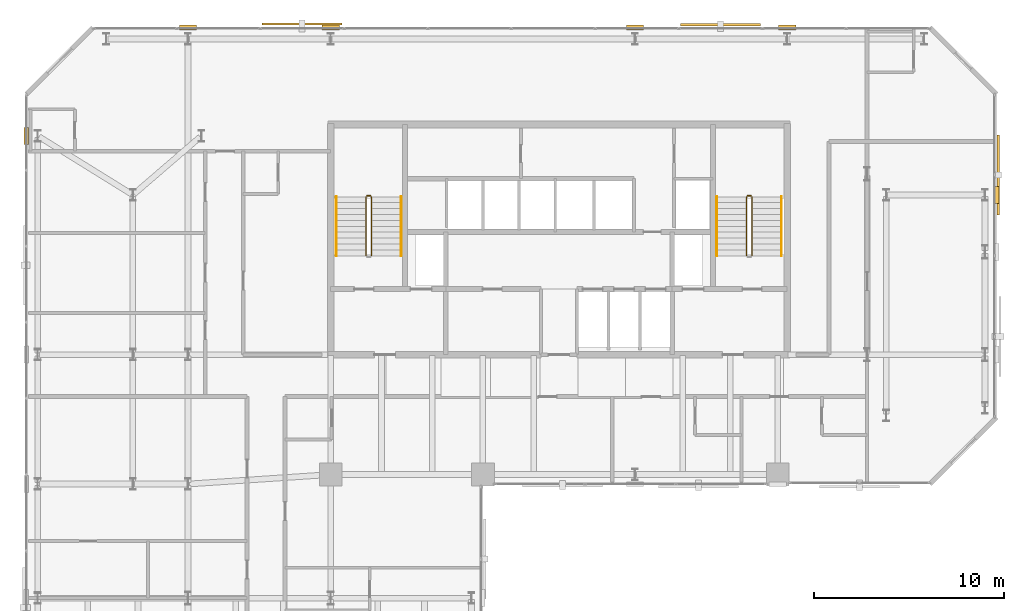
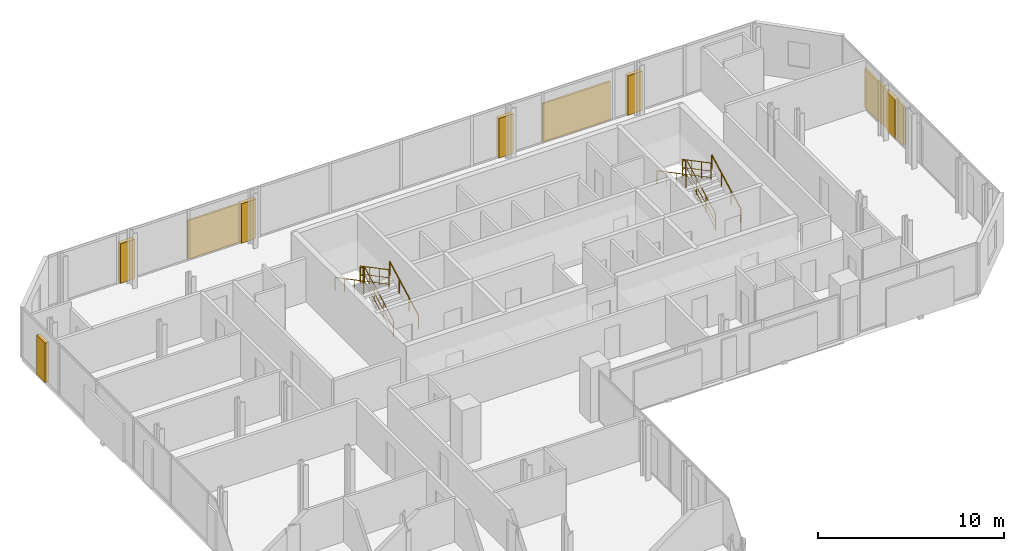
# One storey, part 33 of 33: 10 railings, 6 coverings, 3 shading devices.
"""IFC4 building model written with IfcOpenShell, lengths in metres."""

from ifc_helpers import new_model, si_unit, direction, frame, origin, origin_2d, place, context, subcontext, project, spatial, rectangle, circle, extrude, material, layer, layer_set, type_object, element, save


model = new_model("IFC4")

# Units and contexts
model_context = context("Model", 3, precision=1e-05, world=origin(), true_north=direction((0.0, 1.0)))
body_context = subcontext(model_context, "Body", "Model", "MODEL_VIEW")
ifc_project = project(units=[si_unit("LENGTHUNIT", "METRE"), si_unit("AREAUNIT", "SQUARE_METRE"), si_unit("VOLUMEUNIT", "CUBIC_METRE"), si_unit("PLANEANGLEUNIT", "RADIAN"), si_unit("MASSUNIT", "GRAM", prefix="KILO")], contexts=[model_context])

# Site, building, storey
site_placement = place(None, origin())
site = spatial("IfcSite", under=ifc_project, at=site_placement, CompositionType="ELEMENT")
building_placement = place(site_placement, origin())
building = spatial("IfcBuilding", under=site, at=building_placement, Name="Catumbela Crestline Tower", CompositionType="ELEMENT")
storey_placement = place(building_placement, frame((0.0, 0.0, 118.8)))
storey = spatial("IfcBuildingStorey", under=building, at=storey_placement, Name="L30", CompositionType="ELEMENT", Elevation=118.8)

# Coverings
ifc_material_1 = material(Name="Extruded terracotta ceramic", Category="masonry")
ifc_layer = layer(ifc_material_1, 0.08, Name="Extruded terracotta ceramic")
ifc_layer_set = layer_set([ifc_layer], Name="Extruded terracotta ceramic")
covering_type = type_object("IfcCoveringType", Name="CC-TER", PredefinedType="CLADDING", material=ifc_layer_set)
for number, where, z_axis, x_axis, name in (
    (1, (51.0, 39.2, 0.0), (0.0, 0.0, 1.0), (0.0, 1.0, 0.0), "L30 Fluted Terracotta Column Cladding 102"),
    (2, (8.5, 48.0, 0.0), (0.0, 0.0, 1.0), (-1.0, 0.0, 0.0), "L30 Fluted Terracotta Column Cladding 105"),
    (3, (16.0, 48.0, 0.0), (0.0, 0.0, 1.0), (-1.0, 0.0, 0.0), "L30 Fluted Terracotta Column Cladding 106"),
    (4, (32.0, 48.0, 0.0), (0.0, 0.0, 1.0), (-1.0, 0.0, 0.0), "L30 Fluted Terracotta Column Cladding 107"),
    (5, (40.0, 48.0, 0.0), (0.0, 0.0, 1.0), (-1.0, 0.0, 0.0), "L30 Fluted Terracotta Column Cladding 108"),
    (6, (0.0, 42.3, 0.0), (0.0, 0.0, 1.0), (0.0, -1.0, 0.0), "L30 Fluted Terracotta Column Cladding 111"),
):
    element("IfcCovering", number, at=place(storey_placement, frame(where, z_axis=z_axis, x_axis=x_axis)), inside=storey, type_object=covering_type, Name=name, PredefinedType="CLADDING", context=body_context, shape_type="SweptSolid", body=[
        extrude(rectangle(XDim=0.9, YDim=0.24, at=origin_2d()), origin(), (0.0, 0.0, 1.0), 2.6),
    ])

# Railings
ifc_material_2 = material(Name="Stainless steel EN 1.4401", Category="steel")
railing_type_1 = type_object("IfcRailingType", Name="RG-1100", PredefinedType="GUARDRAIL", material=ifc_material_2)
railing_1_placement = place(storey_placement, frame((18.14, 36.0, 0.1636)))
element("IfcRailing", 7, at=railing_1_placement, inside=storey, type_object=railing_type_1, Name="L30 ST-01 stair guard 1", PredefinedType="GUARDRAIL", context=body_context, shape_type="SweptSolid", body=[
    extrude(circle(Radius=0.024, at=origin_2d()), frame((0.0, 0.0, 1.076), z_axis=(0.0, 0.884350731049, 0.466823076222), x_axis=(-1.0, 0.0, 0.0)), (0.0, 0.0, 1.0), 3.5054),
    extrude(circle(Radius=0.0156, at=origin_2d()), frame((0.0, 0.0, 0.55), z_axis=(0.0, 0.884350731049, 0.466823076222), x_axis=(-1.0, 0.0, 0.0)), (0.0, 0.0, 1.0), 3.5054),
    extrude(circle(Radius=0.0156, at=origin_2d()), frame((0.0, 0.0, 0.12), z_axis=(0.0, 0.884350731049, 0.466823076222), x_axis=(-1.0, 0.0, 0.0)), (0.0, 0.0, 1.0), 3.5054),
    extrude(circle(Radius=0.021, at=origin_2d()), origin(), (0.0, 0.0, 1.0), 1.052),
    extrude(circle(Radius=0.021, at=origin_2d()), frame((0.0, 1.0333, 0.5455)), (0.0, 0.0, 1.0), 1.052),
    extrude(circle(Radius=0.021, at=origin_2d()), frame((0.0, 2.0667, 1.0909)), (0.0, 0.0, 1.0), 1.052),
    extrude(circle(Radius=0.021, at=origin_2d()), frame((0.0, 3.1, 1.6364)), (0.0, 0.0, 1.0), 1.052),
])
railing_2_placement = place(storey_placement, frame((18.09, 39.15, 1.8)))
element("IfcRailing", 8, at=railing_2_placement, inside=storey, type_object=railing_type_1, Name="L30 ST-01 stair guard 2", PredefinedType="GUARDRAIL", context=body_context, shape_type="SweptSolid", body=[
    extrude(circle(Radius=0.024, at=origin_2d()), frame((0.0, 0.0, 1.076), z_axis=(-1.0, 0.0, 0.0), x_axis=(0.0, -1.0, 0.0)), (0.0, 0.0, 1.0), 0.18),
    extrude(circle(Radius=0.0156, at=origin_2d()), frame((0.0, 0.0, 0.55), z_axis=(-1.0, 0.0, 0.0), x_axis=(0.0, -1.0, 0.0)), (0.0, 0.0, 1.0), 0.18),
    extrude(circle(Radius=0.0156, at=origin_2d()), frame((0.0, 0.0, 0.12), z_axis=(-1.0, 0.0, 0.0), x_axis=(0.0, -1.0, 0.0)), (0.0, 0.0, 1.0), 0.18),
    extrude(circle(Radius=0.021, at=origin_2d()), origin(), (0.0, 0.0, 1.0), 1.052),
    extrude(circle(Radius=0.021, at=origin_2d()), frame((-0.18, 0.0, 0.0)), (0.0, 0.0, 1.0), 1.052),
])
railing_3_placement = place(storey_placement, frame((17.86, 39.1, 1.9636)))
element("IfcRailing", 9, at=railing_3_placement, inside=storey, type_object=railing_type_1, Name="L30 ST-01 stair guard 3", PredefinedType="GUARDRAIL", context=body_context, shape_type="SweptSolid", body=[
    extrude(circle(Radius=0.024, at=origin_2d()), frame((0.0, 0.0, 1.076), z_axis=(0.0, -0.884350731049, 0.466823076222), x_axis=(1.0, 0.0, 0.0)), (0.0, 0.0, 1.0), 3.5054),
    extrude(circle(Radius=0.0156, at=origin_2d()), frame((0.0, 0.0, 0.55), z_axis=(0.0, -0.884350731049, 0.466823076222), x_axis=(1.0, 0.0, 0.0)), (0.0, 0.0, 1.0), 3.5054),
    extrude(circle(Radius=0.0156, at=origin_2d()), frame((0.0, 0.0, 0.12), z_axis=(0.0, -0.884350731049, 0.466823076222), x_axis=(1.0, 0.0, 0.0)), (0.0, 0.0, 1.0), 3.5054),
    extrude(circle(Radius=0.021, at=origin_2d()), origin(), (0.0, 0.0, 1.0), 1.052),
    extrude(circle(Radius=0.021, at=origin_2d()), frame((0.0, -1.0333, 0.5455)), (0.0, 0.0, 1.0), 1.052),
    extrude(circle(Radius=0.021, at=origin_2d()), frame((0.0, -2.0667, 1.0909)), (0.0, 0.0, 1.0), 1.052),
    extrude(circle(Radius=0.021, at=origin_2d()), frame((0.0, -3.1, 1.6364)), (0.0, 0.0, 1.0), 1.052),
])
railing_4_placement = place(storey_placement, frame((38.14, 36.0, 0.1636)))
element("IfcRailing", 10, at=railing_4_placement, inside=storey, type_object=railing_type_1, Name="L30 ST-02 stair guard 1", PredefinedType="GUARDRAIL", context=body_context, shape_type="SweptSolid", body=[
    extrude(circle(Radius=0.024, at=origin_2d()), frame((0.0, 0.0, 1.076), z_axis=(0.0, 0.884350731049, 0.466823076222), x_axis=(-1.0, 0.0, 0.0)), (0.0, 0.0, 1.0), 3.5054),
    extrude(circle(Radius=0.0156, at=origin_2d()), frame((0.0, 0.0, 0.55), z_axis=(0.0, 0.884350731049, 0.466823076222), x_axis=(-1.0, 0.0, 0.0)), (0.0, 0.0, 1.0), 3.5054),
    extrude(circle(Radius=0.0156, at=origin_2d()), frame((0.0, 0.0, 0.12), z_axis=(0.0, 0.884350731049, 0.466823076222), x_axis=(-1.0, 0.0, 0.0)), (0.0, 0.0, 1.0), 3.5054),
    extrude(circle(Radius=0.021, at=origin_2d()), origin(), (0.0, 0.0, 1.0), 1.052),
    extrude(circle(Radius=0.021, at=origin_2d()), frame((0.0, 1.0333, 0.5455)), (0.0, 0.0, 1.0), 1.052),
    extrude(circle(Radius=0.021, at=origin_2d()), frame((0.0, 2.0667, 1.0909)), (0.0, 0.0, 1.0), 1.052),
    extrude(circle(Radius=0.021, at=origin_2d()), frame((0.0, 3.1, 1.6364)), (0.0, 0.0, 1.0), 1.052),
])
railing_5_placement = place(storey_placement, frame((38.09, 39.15, 1.8)))
element("IfcRailing", 11, at=railing_5_placement, inside=storey, type_object=railing_type_1, Name="L30 ST-02 stair guard 2", PredefinedType="GUARDRAIL", context=body_context, shape_type="SweptSolid", body=[
    extrude(circle(Radius=0.024, at=origin_2d()), frame((0.0, 0.0, 1.076), z_axis=(-1.0, 0.0, 0.0), x_axis=(0.0, -1.0, 0.0)), (0.0, 0.0, 1.0), 0.18),
    extrude(circle(Radius=0.0156, at=origin_2d()), frame((0.0, 0.0, 0.55), z_axis=(-1.0, 0.0, 0.0), x_axis=(0.0, -1.0, 0.0)), (0.0, 0.0, 1.0), 0.18),
    extrude(circle(Radius=0.0156, at=origin_2d()), frame((0.0, 0.0, 0.12), z_axis=(-1.0, 0.0, 0.0), x_axis=(0.0, -1.0, 0.0)), (0.0, 0.0, 1.0), 0.18),
    extrude(circle(Radius=0.021, at=origin_2d()), origin(), (0.0, 0.0, 1.0), 1.052),
    extrude(circle(Radius=0.021, at=origin_2d()), frame((-0.18, 0.0, 0.0)), (0.0, 0.0, 1.0), 1.052),
])
railing_6_placement = place(storey_placement, frame((37.86, 39.1, 1.9636)))
element("IfcRailing", 12, at=railing_6_placement, inside=storey, type_object=railing_type_1, Name="L30 ST-02 stair guard 3", PredefinedType="GUARDRAIL", context=body_context, shape_type="SweptSolid", body=[
    extrude(circle(Radius=0.024, at=origin_2d()), frame((0.0, 0.0, 1.076), z_axis=(0.0, -0.884350731049, 0.466823076222), x_axis=(1.0, 0.0, 0.0)), (0.0, 0.0, 1.0), 3.5054),
    extrude(circle(Radius=0.0156, at=origin_2d()), frame((0.0, 0.0, 0.55), z_axis=(0.0, -0.884350731049, 0.466823076222), x_axis=(1.0, 0.0, 0.0)), (0.0, 0.0, 1.0), 3.5054),
    extrude(circle(Radius=0.0156, at=origin_2d()), frame((0.0, 0.0, 0.12), z_axis=(0.0, -0.884350731049, 0.466823076222), x_axis=(1.0, 0.0, 0.0)), (0.0, 0.0, 1.0), 3.5054),
    extrude(circle(Radius=0.021, at=origin_2d()), origin(), (0.0, 0.0, 1.0), 1.052),
    extrude(circle(Radius=0.021, at=origin_2d()), frame((0.0, -1.0333, 0.5455)), (0.0, 0.0, 1.0), 1.052),
    extrude(circle(Radius=0.021, at=origin_2d()), frame((0.0, -2.0667, 1.0909)), (0.0, 0.0, 1.0), 1.052),
    extrude(circle(Radius=0.021, at=origin_2d()), frame((0.0, -3.1, 1.6364)), (0.0, 0.0, 1.0), 1.052),
])
railing_type_2 = type_object("IfcRailingType", Name="RH-0900", PredefinedType="HANDRAIL", material=ifc_material_2)
railing_7_placement = place(storey_placement, frame((19.7, 36.0, 0.1636)))
element("IfcRailing", 13, at=railing_7_placement, inside=storey, type_object=railing_type_2, Name="L30 ST-01 stair handrail 1", PredefinedType="HANDRAIL", context=body_context, shape_type="SweptSolid", body=[
    extrude(circle(Radius=0.024, at=origin_2d()), frame((0.0, 0.0, 0.876), z_axis=(0.0, 0.884350731049, 0.466823076222), x_axis=(-1.0, 0.0, 0.0)), (0.0, 0.0, 1.0), 3.5054),
    extrude(circle(Radius=0.021, at=origin_2d()), origin(), (0.0, 0.0, 1.0), 0.852),
    extrude(circle(Radius=0.021, at=origin_2d()), frame((0.0, 1.0333, 0.5455)), (0.0, 0.0, 1.0), 0.852),
    extrude(circle(Radius=0.021, at=origin_2d()), frame((0.0, 2.0667, 1.0909)), (0.0, 0.0, 1.0), 0.852),
    extrude(circle(Radius=0.021, at=origin_2d()), frame((0.0, 3.1, 1.6364)), (0.0, 0.0, 1.0), 0.852),
])
railing_8_placement = place(storey_placement, frame((16.3, 39.1, 1.9636)))
element("IfcRailing", 14, at=railing_8_placement, inside=storey, type_object=railing_type_2, Name="L30 ST-01 stair handrail 2", PredefinedType="HANDRAIL", context=body_context, shape_type="SweptSolid", body=[
    extrude(circle(Radius=0.024, at=origin_2d()), frame((0.0, 0.0, 0.876), z_axis=(0.0, -0.884350731049, 0.466823076222), x_axis=(1.0, 0.0, 0.0)), (0.0, 0.0, 1.0), 3.5054),
    extrude(circle(Radius=0.021, at=origin_2d()), origin(), (0.0, 0.0, 1.0), 0.852),
    extrude(circle(Radius=0.021, at=origin_2d()), frame((0.0, -1.0333, 0.5455)), (0.0, 0.0, 1.0), 0.852),
    extrude(circle(Radius=0.021, at=origin_2d()), frame((0.0, -2.0667, 1.0909)), (0.0, 0.0, 1.0), 0.852),
    extrude(circle(Radius=0.021, at=origin_2d()), frame((0.0, -3.1, 1.6364)), (0.0, 0.0, 1.0), 0.852),
])
railing_9_placement = place(storey_placement, frame((39.7, 36.0, 0.1636)))
element("IfcRailing", 15, at=railing_9_placement, inside=storey, type_object=railing_type_2, Name="L30 ST-02 stair handrail 1", PredefinedType="HANDRAIL", context=body_context, shape_type="SweptSolid", body=[
    extrude(circle(Radius=0.024, at=origin_2d()), frame((0.0, 0.0, 0.876), z_axis=(0.0, 0.884350731049, 0.466823076222), x_axis=(-1.0, 0.0, 0.0)), (0.0, 0.0, 1.0), 3.5054),
    extrude(circle(Radius=0.021, at=origin_2d()), origin(), (0.0, 0.0, 1.0), 0.852),
    extrude(circle(Radius=0.021, at=origin_2d()), frame((0.0, 1.0333, 0.5455)), (0.0, 0.0, 1.0), 0.852),
    extrude(circle(Radius=0.021, at=origin_2d()), frame((0.0, 2.0667, 1.0909)), (0.0, 0.0, 1.0), 0.852),
    extrude(circle(Radius=0.021, at=origin_2d()), frame((0.0, 3.1, 1.6364)), (0.0, 0.0, 1.0), 0.852),
])
railing_10_placement = place(storey_placement, frame((36.3, 39.1, 1.9636)))
element("IfcRailing", 16, at=railing_10_placement, inside=storey, type_object=railing_type_2, Name="L30 ST-02 stair handrail 2", PredefinedType="HANDRAIL", context=body_context, shape_type="SweptSolid", body=[
    extrude(circle(Radius=0.024, at=origin_2d()), frame((0.0, 0.0, 0.876), z_axis=(0.0, -0.884350731049, 0.466823076222), x_axis=(1.0, 0.0, 0.0)), (0.0, 0.0, 1.0), 3.5054),
    extrude(circle(Radius=0.021, at=origin_2d()), origin(), (0.0, 0.0, 1.0), 0.852),
    extrude(circle(Radius=0.021, at=origin_2d()), frame((0.0, -1.0333, 0.5455)), (0.0, 0.0, 1.0), 0.852),
    extrude(circle(Radius=0.021, at=origin_2d()), frame((0.0, -2.0667, 1.0909)), (0.0, 0.0, 1.0), 0.852),
    extrude(circle(Radius=0.021, at=origin_2d()), frame((0.0, -3.1, 1.6364)), (0.0, 0.0, 1.0), 0.852),
])

# Shading devices
shading_device_type_1 = type_object("IfcShadingDeviceType", Name="ST-180", PredefinedType="USERDEFINED", material=ifc_material_1)
shading_device_1_placement = place(storey_placement, frame((51.099, 40.25, -0.1), z_axis=(0.0, 0.0, 1.0), x_axis=(0.0, 1.0, 0.0)))
element("IfcShadingDevice", 17, at=shading_device_1_placement, inside=storey, type_object=shading_device_type_1, Name="L30 Perforated Terracotta Solar Screen 323 (180 mm)", ObjectType="SCREEN", PredefinedType="USERDEFINED", context=body_context, shape_type="SweptSolid", body=[
    extrude(rectangle(XDim=4.2, YDim=0.12, at=origin_2d()), origin(), (0.0, 0.0, 1.0), 2.55),
])
shading_device_type_2 = type_object("IfcShadingDeviceType", Name="ST-260", PredefinedType="USERDEFINED", material=ifc_material_1)
shading_device_2_placement = place(storey_placement, frame((36.5, 48.143, -0.1), z_axis=(0.0, 0.0, 1.0), x_axis=(-1.0, 0.0, 0.0)))
element("IfcShadingDevice", 18, at=shading_device_2_placement, inside=storey, type_object=shading_device_type_2, Name="L30 Perforated Terracotta Solar Screen 324 (260 mm)", ObjectType="SCREEN", PredefinedType="USERDEFINED", context=body_context, shape_type="SweptSolid", body=[
    extrude(rectangle(XDim=4.2, YDim=0.12, at=origin_2d()), origin(), (0.0, 0.0, 1.0), 2.55),
])
shading_device_type_3 = type_object("IfcShadingDeviceType", Name="ST-340", PredefinedType="USERDEFINED", material=ifc_material_1)
shading_device_3_placement = place(storey_placement, frame((14.5, 48.187, -0.1), z_axis=(0.0, 0.0, 1.0), x_axis=(-1.0, 0.0, 0.0)))
element("IfcShadingDevice", 19, at=shading_device_3_placement, inside=storey, type_object=shading_device_type_3, Name="L30 Perforated Terracotta Solar Screen 325 (340 mm)", ObjectType="SCREEN", PredefinedType="USERDEFINED", context=body_context, shape_type="SweptSolid", body=[
    extrude(rectangle(XDim=4.2, YDim=0.12, at=origin_2d()), origin(), (0.0, 0.0, 1.0), 2.55),
])

save(model, "model.ifc")
